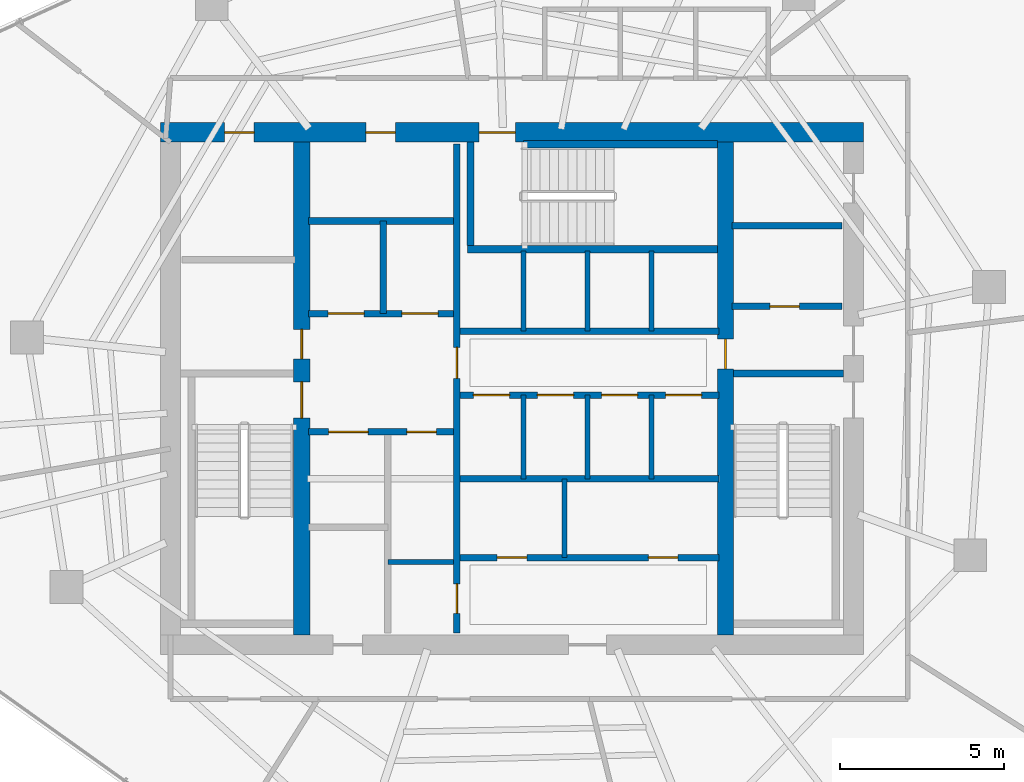
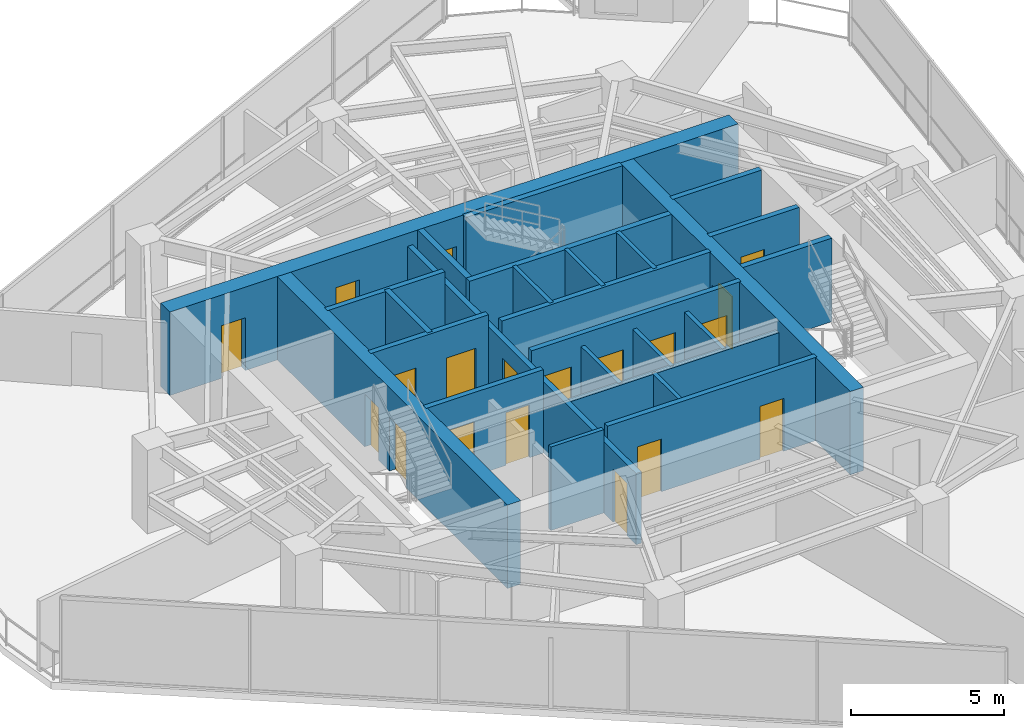
# One storey, part 17 of 21: 26 walls, 19 doors, 19 openings.
"""IFC4 building model written with IfcOpenShell, lengths in metres."""

from ifc_helpers import new_model, si_unit, direction, frame, frame_2d, origin, place, context, subcontext, project, spatial, rectangle, extrude, material, layer, layer_set, type_object, element, fill, save


model = new_model("IFC4")

# Units and contexts
model_context = context("Model", 3, precision=1e-05, world=origin(), true_north=direction((0.0, 1.0)))
body_context = subcontext(model_context, "Body", "Model", "MODEL_VIEW")
ifc_project = project(units=[si_unit("LENGTHUNIT", "METRE"), si_unit("AREAUNIT", "SQUARE_METRE"), si_unit("VOLUMEUNIT", "CUBIC_METRE"), si_unit("PLANEANGLEUNIT", "RADIAN"), si_unit("MASSUNIT", "GRAM", prefix="KILO")], contexts=[model_context])

# Site, building, storey
site_placement = place(None, origin())
site = spatial("IfcSite", under=ifc_project, at=site_placement, CompositionType="ELEMENT")
building_placement = place(site_placement, origin())
building = spatial("IfcBuilding", under=site, at=building_placement, Name="Qarnah Convention Tower", CompositionType="ELEMENT")
storey_placement = place(building_placement, frame((0.0, 0.0, 158.10009765625)))
storey = spatial("IfcBuildingStorey", under=building, at=storey_placement, Name="L42", CompositionType="ELEMENT", Elevation=158.10009765625)

# Wall, openings, doors
ifc_material_1 = material(Name="Concrete C60/75", Category="concrete")
ifc_layer_1 = layer(ifc_material_1, 0.60009765625)
ifc_layer_set_1 = layer_set([ifc_layer_1], Name="Concrete C60/75")
wall_type_1 = type_object("IfcWallType", Name="WL-CORE-600", PredefinedType="SHEAR", material=ifc_layer_set_1)
wall_1_placement = place(storey_placement, frame((26.5, 34.199951171875, 0.0), z_axis=(0.0, 0.0, 1.0), x_axis=(1.0, 0.0, 0.0)))
wall_1 = element("IfcWall", 1, at=wall_1_placement, inside=storey, type_object=wall_type_1, Name="L42 core north shear wall", PredefinedType="SHEAR", context=body_context, shape_type="SweptSolid", body=[
    extrude(rectangle(XDim=21.39990234375, YDim=0.60009765625, at=frame_2d((10.699951171875, 0.0))), origin(), (0.0, 0.0, 1.0), 3.31982421875),
])
opening_1_placement = place(wall_1_placement, frame((9.699951171875, 0.0, 0.0)))
opening_1 = element("IfcOpeningElement", 2, at=opening_1_placement, cuts=wall_1, Name="Opening D-4203", PredefinedType="OPENING", context=body_context, shape_type="SweptSolid", body=[
    extrude(rectangle(XDim=1.10009765625, YDim=2.14990234375, at=frame_2d((0.550048828125, 1.074951171875))), frame((0.0, 0.31005859375, 0.0), z_axis=(0.0, -1.0, 0.0), x_axis=(1.0, 0.0, 0.0)), (0.0, 0.0, 1.0), 0.6201171875),
])
opening_2_placement = place(wall_1_placement, frame((1.949951171875, 0.0, 0.0)))
opening_2 = element("IfcOpeningElement", 3, at=opening_2_placement, cuts=wall_1, Name="Opening D-4209", PredefinedType="OPENING", context=body_context, shape_type="SweptSolid", body=[
    extrude(rectangle(XDim=0.89990234375, YDim=2.10009765625, at=frame_2d((0.449951171875, 1.050048828125))), frame((0.0, 0.31005859375, 0.0), z_axis=(0.0, -1.0, 0.0), x_axis=(1.0, 0.0, 0.0)), (0.0, 0.0, 1.0), 0.6201171875),
])
opening_3_placement = place(wall_1_placement, frame((6.25, 0.0, 0.0)))
opening_3 = element("IfcOpeningElement", 4, at=opening_3_placement, cuts=wall_1, Name="Opening D-4210", PredefinedType="OPENING", context=body_context, shape_type="SweptSolid", body=[
    extrude(rectangle(XDim=0.89990234375, YDim=2.10009765625, at=frame_2d((0.449951171875, 1.050048828125))), frame((0.0, 0.31005859375, 0.0), z_axis=(0.0, -1.0, 0.0), x_axis=(1.0, 0.0, 0.0)), (0.0, 0.0, 1.0), 0.6201171875),
])
ifc_material_2 = material(Name="Structural steel S355JR", Category="steel")
door_type_1 = type_object("IfcDoorType", Name="DT-RISER-900", OperationType="NOTDEFINED", PredefinedType="DOOR", material=ifc_material_2)
door_1_placement = place(opening_2_placement, origin())
door_1 = element("IfcDoor", 5, at=door_1_placement, inside=storey, type_object=door_type_1, Name="Door D-4209", OperationType="SINGLE_SWING_RIGHT", OverallHeight=2.10009765625, OverallWidth=0.89990234375, PredefinedType="DOOR", context=body_context, shape_type="SweptSolid", body=[
    extrude(rectangle(XDim=0.89990234375, YDim=2.10009765625, at=frame_2d((0.449951171875, 1.050048828125))), frame((0.0, 0.02490234375, 0.0), z_axis=(0.0, -1.0, 0.0), x_axis=(1.0, 0.0, 0.0)), (0.0, 0.0, 1.0), 0.050048828125),
])
fill(opening_2, door_1)
door_2_placement = place(opening_3_placement, origin())
door_2 = element("IfcDoor", 6, at=door_2_placement, inside=storey, type_object=door_type_1, Name="Door D-4210", OperationType="SINGLE_SWING_LEFT", OverallHeight=2.10009765625, OverallWidth=0.89990234375, PredefinedType="DOOR", context=body_context, shape_type="SweptSolid", body=[
    extrude(rectangle(XDim=0.89990234375, YDim=2.10009765625, at=frame_2d((0.449951171875, 1.050048828125))), frame((0.0, 0.02490234375, 0.0), z_axis=(0.0, -1.0, 0.0), x_axis=(1.0, 0.0, 0.0)), (0.0, 0.0, 1.0), 0.050048828125),
])
fill(opening_3, door_2)
door_type_2 = type_object("IfcDoorType", Name="DT-STAIR-1100", OperationType="NOTDEFINED", PredefinedType="DOOR", material=ifc_material_2)
door_3_placement = place(opening_1_placement, origin())
door_3 = element("IfcDoor", 7, at=door_3_placement, inside=storey, type_object=door_type_2, Name="Door D-4203", OperationType="SINGLE_SWING_RIGHT", OverallHeight=2.14990234375, OverallWidth=1.10009765625, PredefinedType="DOOR", context=body_context, shape_type="SweptSolid", body=[
    extrude(rectangle(XDim=1.10009765625, YDim=2.14990234375, at=frame_2d((0.550048828125, 1.074951171875))), frame((0.0, 0.02490234375, 0.0), z_axis=(0.0, -1.0, 0.0), x_axis=(1.0, 0.0, 0.0)), (0.0, 0.0, 1.0), 0.050048828125),
])
fill(opening_1, door_3)

ifc_layer_2 = layer(ifc_material_1, 0.5)
ifc_layer_set_2 = layer_set([ifc_layer_2], Name="Concrete C60/75")
wall_type_2 = type_object("IfcWallType", Name="WL-CORE-INT-400", PredefinedType="SHEAR", material=ifc_layer_set_2)
wall_2_placement = place(storey_placement, frame((30.800048828125, 18.89990234375, 0.0), z_axis=(0.0, 0.0, 1.0), x_axis=(0.0, 1.0, 0.0)))
wall_2 = element("IfcWall", 8, at=wall_2_placement, inside=storey, type_object=wall_type_2, Name="L42 core west spine shear wall", PredefinedType="SHEAR", context=body_context, shape_type="SweptSolid", body=[
    extrude(rectangle(XDim=15.0, YDim=0.5, at=frame_2d((7.5, 0.0))), origin(), (0.0, 0.0, 1.0), 3.31982421875),
])
opening_4_placement = place(wall_2_placement, frame((6.60009765625, 0.0, 0.0)))
opening_4 = element("IfcOpeningElement", 9, at=opening_4_placement, cuts=wall_2, Name="Opening D-4201", PredefinedType="OPENING", context=body_context, shape_type="SweptSolid", body=[
    extrude(rectangle(XDim=1.10009765625, YDim=2.14990234375, at=frame_2d((0.550048828125, 1.074951171875))), frame((0.0, 0.260009765625, 0.0), z_axis=(0.0, -1.0, 0.0), x_axis=(1.0, 0.0, 0.0)), (0.0, 0.0, 1.0), 0.52001953125),
])
opening_5_placement = place(wall_2_placement, frame((8.39990234375, 0.0, 0.0)))
opening_5 = element("IfcOpeningElement", 10, at=opening_5_placement, cuts=wall_2, Name="Opening D-4208", PredefinedType="OPENING", context=body_context, shape_type="SweptSolid", body=[
    extrude(rectangle(XDim=0.89990234375, YDim=2.10009765625, at=frame_2d((0.449951171875, 1.050048828125))), frame((0.0, 0.260009765625, 0.0), z_axis=(0.0, -1.0, 0.0), x_axis=(1.0, 0.0, 0.0)), (0.0, 0.0, 1.0), 0.52001953125),
])
door_4_placement = place(opening_5_placement, origin())
door_4 = element("IfcDoor", 11, at=door_4_placement, inside=storey, type_object=door_type_1, Name="Door D-4208", OperationType="SINGLE_SWING_LEFT", OverallHeight=2.10009765625, OverallWidth=0.89990234375, PredefinedType="DOOR", context=body_context, shape_type="SweptSolid", body=[
    extrude(rectangle(XDim=0.89990234375, YDim=2.10009765625, at=frame_2d((0.449951171875, 1.050048828125))), frame((0.0, 0.02490234375, 0.0), z_axis=(0.0, -1.0, 0.0), x_axis=(1.0, 0.0, 0.0)), (0.0, 0.0, 1.0), 0.050048828125),
])
fill(opening_5, door_4)
door_5_placement = place(opening_4_placement, origin())
door_5 = element("IfcDoor", 12, at=door_5_placement, inside=storey, type_object=door_type_2, Name="Door D-4201", OperationType="SINGLE_SWING_RIGHT", OverallHeight=2.14990234375, OverallWidth=1.10009765625, PredefinedType="DOOR", context=body_context, shape_type="SweptSolid", body=[
    extrude(rectangle(XDim=1.10009765625, YDim=2.14990234375, at=frame_2d((0.550048828125, 1.074951171875))), frame((0.0, 0.02490234375, 0.0), z_axis=(0.0, -1.0, 0.0), x_axis=(1.0, 0.0, 0.0)), (0.0, 0.0, 1.0), 0.050048828125),
])
fill(opening_4, door_5)

# Wall, opening, door
wall_3_placement = place(storey_placement, frame((43.699951171875, 18.89990234375, 0.0), z_axis=(0.0, 0.0, 1.0), x_axis=(0.0, 1.0, 0.0)))
wall_3 = element("IfcWall", 13, at=wall_3_placement, inside=storey, type_object=wall_type_2, Name="L42 core east spine shear wall", PredefinedType="SHEAR", context=body_context, shape_type="SweptSolid", body=[
    extrude(rectangle(XDim=15.0, YDim=0.5, at=frame_2d((7.5, 0.0))), origin(), (0.0, 0.0, 1.0), 3.31982421875),
])
opening_6_placement = place(wall_3_placement, frame((8.10009765625, 0.0, 0.0)))
opening_6 = element("IfcOpeningElement", 14, at=opening_6_placement, cuts=wall_3, Name="Opening D-4205", PredefinedType="OPENING", context=body_context, shape_type="SweptSolid", body=[
    extrude(rectangle(XDim=0.89990234375, YDim=2.10009765625, at=frame_2d((0.449951171875, 1.050048828125))), frame((0.0, 0.260009765625, 0.0), z_axis=(0.0, -1.0, 0.0), x_axis=(1.0, 0.0, 0.0)), (0.0, 0.0, 1.0), 0.52001953125),
])
door_6_placement = place(opening_6_placement, origin())
door_6 = element("IfcDoor", 15, at=door_6_placement, inside=storey, type_object=door_type_1, Name="Door D-4205", OperationType="SINGLE_SWING_RIGHT", OverallHeight=2.10009765625, OverallWidth=0.89990234375, PredefinedType="DOOR", context=body_context, shape_type="SweptSolid", body=[
    extrude(rectangle(XDim=0.89990234375, YDim=2.10009765625, at=frame_2d((0.449951171875, 1.050048828125))), frame((0.0, 0.02490234375, 0.0), z_axis=(0.0, -1.0, 0.0), x_axis=(1.0, 0.0, 0.0)), (0.0, 0.0, 1.0), 0.050048828125),
])
fill(opening_6, door_6)

ifc_material_3 = material(Name="Concrete C45/55", Category="concrete")
ifc_layer_3 = layer(ifc_material_3, 0.199951171875)
ifc_layer_set_3 = layer_set([ifc_layer_3], Name="Concrete C45/55")
wall_type_3 = type_object("IfcWallType", Name="WL-CORE-PART-200", PredefinedType="SOLIDWALL", material=ifc_layer_set_3)
wall_4_placement = place(storey_placement, frame((43.89990234375, 28.89990234375, 0.0), z_axis=(0.0, 0.0, 1.0), x_axis=(1.0, 0.0, 0.0)))
wall_4 = element("IfcWall", 16, at=wall_4_placement, inside=storey, type_object=wall_type_3, Name="L42 interior wall IW-L42-EVSTN", PredefinedType="SOLIDWALL", context=body_context, shape_type="SweptSolid", body=[
    extrude(rectangle(XDim=3.35009765625, YDim=0.199951171875, at=frame_2d((1.675048828125, 0.0))), origin(), (0.0, 0.0, 1.0), 3.31982421875),
])
opening_7_placement = place(wall_4_placement, frame((1.14990234375, 0.0, 0.0)))
opening_7 = element("IfcOpeningElement", 17, at=opening_7_placement, cuts=wall_4, Name="Opening D-4211", PredefinedType="OPENING", context=body_context, shape_type="SweptSolid", body=[
    extrude(rectangle(XDim=0.89990234375, YDim=2.10009765625, at=frame_2d((0.449951171875, 1.050048828125))), frame((0.0, 0.10986328125, 0.0), z_axis=(0.0, -1.0, 0.0), x_axis=(1.0, 0.0, 0.0)), (0.0, 0.0, 1.0), 0.219970703125),
])
door_7_placement = place(opening_7_placement, origin())
door_7 = element("IfcDoor", 18, at=door_7_placement, inside=storey, type_object=door_type_1, Name="Door D-4211", OperationType="SINGLE_SWING_RIGHT", OverallHeight=2.10009765625, OverallWidth=0.89990234375, PredefinedType="DOOR", context=body_context, shape_type="SweptSolid", body=[
    extrude(rectangle(XDim=0.89990234375, YDim=2.10009765625, at=frame_2d((0.449951171875, 1.050048828125))), frame((0.0, 0.02490234375, 0.0), z_axis=(0.0, -1.0, 0.0), x_axis=(1.0, 0.0, 0.0)), (0.0, 0.0, 1.0), 0.050048828125),
])
fill(opening_7, door_7)

# Wall
wall_5_placement = place(storey_placement, frame((43.89990234375, 31.35009765625, 0.0), z_axis=(0.0, 0.0, 1.0), x_axis=(1.0, 0.0, 0.0)))
element("IfcWall", 19, at=wall_5_placement, inside=storey, type_object=wall_type_3, Name="L42 interior wall IW-L42-WTRN", PredefinedType="SOLIDWALL", context=body_context, shape_type="SweptSolid", body=[
    extrude(rectangle(XDim=3.35009765625, YDim=0.199951171875, at=frame_2d((1.675048828125, 0.0))), origin(), (0.0, 0.0, 1.0), 3.31982421875),
])

# Wall, openings, doors
wall_6_placement = place(storey_placement, frame((35.52001953125, 18.949951171875, 0.0), z_axis=(0.0, 0.0, 1.0), x_axis=(0.0, 1.0, 0.0)))
wall_6 = element("IfcWall", 20, at=wall_6_placement, inside=storey, type_object=wall_type_3, Name="L42 interior wall IW-L42-CSP", PredefinedType="SOLIDWALL", context=body_context, shape_type="SweptSolid", body=[
    extrude(rectangle(XDim=14.900146484375, YDim=0.199951171875, at=frame_2d((7.4501953125, 0.0))), origin(), (0.0, 0.0, 1.0), 2.8408203125),
])
opening_8_placement = place(wall_6_placement, frame((7.7548828125, 0.0, 0.0)))
opening_8 = element("IfcOpeningElement", 21, at=opening_8_placement, cuts=wall_6, Name="Opening D-4204", PredefinedType="OPENING", context=body_context, shape_type="SweptSolid", body=[
    extrude(rectangle(XDim=0.949951171875, YDim=2.14990234375, at=frame_2d((0.47509765625, 1.074951171875))), frame((0.0, 0.10986328125, 0.0), z_axis=(0.0, -1.0, 0.0), x_axis=(1.0, 0.0, 0.0)), (0.0, 0.0, 1.0), 0.219970703125),
])
opening_9_placement = place(wall_6_placement, frame((0.60009765625, 0.0, 0.0)))
opening_9 = element("IfcOpeningElement", 22, at=opening_9_placement, cuts=wall_6, Name="Opening D-4214", PredefinedType="OPENING", context=body_context, shape_type="SweptSolid", body=[
    extrude(rectangle(XDim=0.89990234375, YDim=2.10009765625, at=frame_2d((0.449951171875, 1.050048828125))), frame((0.0, 0.10986328125, 0.0), z_axis=(0.0, -1.0, 0.0), x_axis=(1.0, 0.0, 0.0)), (0.0, 0.0, 1.0), 0.219970703125),
])
ifc_material_4 = material(Name="Oak timber veneer", Category="wood")
door_type_3 = type_object("IfcDoorType", Name="DT-HOTEL-950", OperationType="NOTDEFINED", PredefinedType="DOOR", material=ifc_material_4)
door_8_placement = place(opening_8_placement, origin())
door_8 = element("IfcDoor", 23, at=door_8_placement, inside=storey, type_object=door_type_3, Name="Door D-4204", OperationType="SINGLE_SWING_LEFT", OverallHeight=2.14990234375, OverallWidth=0.949951171875, PredefinedType="DOOR", context=body_context, shape_type="SweptSolid", body=[
    extrude(rectangle(XDim=0.949951171875, YDim=2.14990234375, at=frame_2d((0.47509765625, 1.074951171875))), frame((0.0, 0.02490234375, 0.0), z_axis=(0.0, -1.0, 0.0), x_axis=(1.0, 0.0, 0.0)), (0.0, 0.0, 1.0), 0.050048828125),
])
fill(opening_8, door_8)
door_9_placement = place(opening_9_placement, origin())
door_9 = element("IfcDoor", 24, at=door_9_placement, inside=storey, type_object=door_type_1, Name="Door D-4214", OperationType="SINGLE_SWING_LEFT", OverallHeight=2.10009765625, OverallWidth=0.89990234375, PredefinedType="DOOR", context=body_context, shape_type="SweptSolid", body=[
    extrude(rectangle(XDim=0.89990234375, YDim=2.10009765625, at=frame_2d((0.449951171875, 1.050048828125))), frame((0.0, 0.02490234375, 0.0), z_axis=(0.0, -1.0, 0.0), x_axis=(1.0, 0.0, 0.0)), (0.0, 0.0, 1.0), 0.050048828125),
])
fill(opening_9, door_9)

wall_7_placement = place(storey_placement, frame((31.0, 28.679931640625, 0.0), z_axis=(0.0, 0.0, 1.0), x_axis=(1.0, 0.0, 0.0)))
wall_7 = element("IfcWall", 25, at=wall_7_placement, inside=storey, type_object=wall_type_3, Name="L42 interior wall IW-L42-FFLS", PredefinedType="SOLIDWALL", context=body_context, shape_type="SweptSolid", body=[
    extrude(rectangle(XDim=4.419921875, YDim=0.199951171875, at=frame_2d((2.2099609375, 0.0))), origin(), (0.0, 0.0, 1.0), 3.31982421875),
])
opening_10_placement = place(wall_7_placement, frame((0.60009765625, 0.0, 0.0)))
opening_10 = element("IfcOpeningElement", 26, at=opening_10_placement, cuts=wall_7, Name="Opening LD-4201", PredefinedType="OPENING", context=body_context, shape_type="SweptSolid", body=[
    extrude(rectangle(XDim=1.10009765625, YDim=2.14990234375, at=frame_2d((0.550048828125, 1.074951171875))), frame((0.0, 0.10986328125, 0.0), z_axis=(0.0, -1.0, 0.0), x_axis=(1.0, 0.0, 0.0)), (0.0, 0.0, 1.0), 0.219970703125),
])
opening_11_placement = place(wall_7_placement, frame((2.85009765625, 0.0, 0.0)))
opening_11 = element("IfcOpeningElement", 27, at=opening_11_placement, cuts=wall_7, Name="Opening LD-4202", PredefinedType="OPENING", context=body_context, shape_type="SweptSolid", body=[
    extrude(rectangle(XDim=1.10009765625, YDim=2.14990234375, at=frame_2d((0.550048828125, 1.074951171875))), frame((0.0, 0.10986328125, 0.0), z_axis=(0.0, -1.0, 0.0), x_axis=(1.0, 0.0, 0.0)), (0.0, 0.0, 1.0), 0.219970703125),
])
door_type_4 = type_object("IfcDoorType", Name="DT-LIFT-1100", OperationType="SLIDING_TO_LEFT", PredefinedType="DOOR", material=ifc_material_2)
door_10_placement = place(opening_10_placement, origin())
door_10 = element("IfcDoor", 28, at=door_10_placement, inside=storey, type_object=door_type_4, Name="Door LD-4201", OperationType="SLIDING_TO_LEFT", OverallHeight=2.14990234375, OverallWidth=1.10009765625, PredefinedType="DOOR", context=body_context, shape_type="SweptSolid", body=[
    extrude(rectangle(XDim=1.10009765625, YDim=2.14990234375, at=frame_2d((0.550048828125, 1.074951171875))), frame((0.0, 0.02490234375, 0.0), z_axis=(0.0, -1.0, 0.0), x_axis=(1.0, 0.0, 0.0)), (0.0, 0.0, 1.0), 0.050048828125),
])
fill(opening_10, door_10)
door_11_placement = place(opening_11_placement, origin())
door_11 = element("IfcDoor", 29, at=door_11_placement, inside=storey, type_object=door_type_4, Name="Door LD-4202", OperationType="SLIDING_TO_LEFT", OverallHeight=2.14990234375, OverallWidth=1.10009765625, PredefinedType="DOOR", context=body_context, shape_type="SweptSolid", body=[
    extrude(rectangle(XDim=1.10009765625, YDim=2.14990234375, at=frame_2d((0.550048828125, 1.074951171875))), frame((0.0, 0.02490234375, 0.0), z_axis=(0.0, -1.0, 0.0), x_axis=(1.0, 0.0, 0.0)), (0.0, 0.0, 1.0), 0.050048828125),
])
fill(opening_11, door_11)

# Walls
wall_8_placement = place(storey_placement, frame((31.0, 31.5, 0.0), z_axis=(0.0, 0.0, 1.0), x_axis=(1.0, 0.0, 0.0)))
element("IfcWall", 30, at=wall_8_placement, inside=storey, type_object=wall_type_3, Name="L42 interior wall IW-L42-FFLN", PredefinedType="SOLIDWALL", context=body_context, shape_type="SweptSolid", body=[
    extrude(rectangle(XDim=4.419921875, YDim=0.199951171875, at=frame_2d((2.2099609375, 0.0))), origin(), (0.0, 0.0, 1.0), 3.31982421875),
])
wall_9_placement = place(storey_placement, frame((33.280029296875, 28.679931640625, 0.0), z_axis=(0.0, 0.0, 1.0), x_axis=(0.0, 1.0, 0.0)))
element("IfcWall", 31, at=wall_9_placement, inside=storey, type_object=wall_type_3, Name="L42 interior wall IW-L42-FFLM", PredefinedType="SOLIDWALL", context=body_context, shape_type="SweptSolid", body=[
    extrude(rectangle(XDim=2.820068359375, YDim=0.199951171875, at=frame_2d((1.41015625, 0.0))), origin(), (0.0, 0.0, 1.0), 3.31982421875),
])

# Wall, openings, doors
wall_10_placement = place(storey_placement, frame((31.0, 25.080078125, 0.0), z_axis=(0.0, 0.0, 1.0), x_axis=(1.0, 0.0, 0.0)))
wall_10 = element("IfcWall", 32, at=wall_10_placement, inside=storey, type_object=wall_type_3, Name="L42 interior wall IW-L42-FFLBS", PredefinedType="SOLIDWALL", context=body_context, shape_type="SweptSolid", body=[
    extrude(rectangle(XDim=4.419921875, YDim=0.199951171875, at=frame_2d((2.2099609375, 0.0))), origin(), (0.0, 0.0, 1.0), 3.31982421875),
])
opening_12_placement = place(wall_10_placement, frame((3.0, 0.0, 0.0)))
opening_12 = element("IfcOpeningElement", 33, at=opening_12_placement, cuts=wall_10, Name="Opening D-4215", PredefinedType="OPENING", context=body_context, shape_type="SweptSolid", body=[
    extrude(rectangle(XDim=0.89990234375, YDim=2.10009765625, at=frame_2d((0.449951171875, 1.050048828125))), frame((0.0, 0.10986328125, 0.0), z_axis=(0.0, -1.0, 0.0), x_axis=(1.0, 0.0, 0.0)), (0.0, 0.0, 1.0), 0.219970703125),
])
opening_13_placement = place(wall_10_placement, frame((0.6201171875, 0.0, 0.0)))
opening_13 = element("IfcOpeningElement", 34, at=opening_13_placement, cuts=wall_10, Name="Opening LD-4203", PredefinedType="OPENING", context=body_context, shape_type="SweptSolid", body=[
    extrude(rectangle(XDim=1.199951171875, YDim=2.14990234375, at=frame_2d((0.60009765625, 1.074951171875))), frame((0.0, 0.10986328125, 0.0), z_axis=(0.0, -1.0, 0.0), x_axis=(1.0, 0.0, 0.0)), (0.0, 0.0, 1.0), 0.219970703125),
])
door_type_5 = type_object("IfcDoorType", Name="DT-LIFT-1200", OperationType="SLIDING_TO_LEFT", PredefinedType="DOOR", material=ifc_material_2)
door_12_placement = place(opening_13_placement, origin())
door_12 = element("IfcDoor", 35, at=door_12_placement, inside=storey, type_object=door_type_5, Name="Door LD-4203", OperationType="SLIDING_TO_LEFT", OverallHeight=2.14990234375, OverallWidth=1.199951171875, PredefinedType="DOOR", context=body_context, shape_type="SweptSolid", body=[
    extrude(rectangle(XDim=1.199951171875, YDim=2.14990234375, at=frame_2d((0.60009765625, 1.074951171875))), frame((0.0, 0.02490234375, 0.0), z_axis=(0.0, -1.0, 0.0), x_axis=(1.0, 0.0, 0.0)), (0.0, 0.0, 1.0), 0.050048828125),
])
fill(opening_13, door_12)
door_13_placement = place(opening_12_placement, origin())
door_13 = element("IfcDoor", 36, at=door_13_placement, inside=storey, type_object=door_type_1, Name="Door D-4215", OperationType="SINGLE_SWING_RIGHT", OverallHeight=2.10009765625, OverallWidth=0.89990234375, PredefinedType="DOOR", context=body_context, shape_type="SweptSolid", body=[
    extrude(rectangle(XDim=0.89990234375, YDim=2.10009765625, at=frame_2d((0.449951171875, 1.050048828125))), frame((0.0, 0.02490234375, 0.0), z_axis=(0.0, -1.0, 0.0), x_axis=(1.0, 0.0, 0.0)), (0.0, 0.0, 1.0), 0.050048828125),
])
fill(opening_12, door_13)

# Wall
wall_11_placement = place(storey_placement, frame((35.6201171875, 28.14990234375, 0.0), z_axis=(0.0, 0.0, 1.0), x_axis=(1.0, 0.0, 0.0)))
element("IfcWall", 37, at=wall_11_placement, inside=storey, type_object=wall_type_3, Name="L42 interior wall IW-L42-PHS", PredefinedType="SOLIDWALL", context=body_context, shape_type="SweptSolid", body=[
    extrude(rectangle(XDim=7.8798828125, YDim=0.199951171875, at=frame_2d((3.93994140625, 0.0))), origin(), (0.0, 0.0, 1.0), 3.31982421875),
])

# Wall, openings, doors
wall_12_placement = place(storey_placement, frame((35.6201171875, 26.199951171875, 0.0), z_axis=(0.0, 0.0, 1.0), x_axis=(1.0, 0.0, 0.0)))
wall_12 = element("IfcWall", 38, at=wall_12_placement, inside=storey, type_object=wall_type_3, Name="L42 interior wall IW-L42-PMN", PredefinedType="SOLIDWALL", context=body_context, shape_type="SweptSolid", body=[
    extrude(rectangle(XDim=7.8798828125, YDim=0.199951171875, at=frame_2d((3.93994140625, 0.0))), origin(), (0.0, 0.0, 1.0), 3.31982421875),
])
opening_14_placement = place(wall_12_placement, frame((0.405029296875, 0.0, 0.0)))
opening_14 = element("IfcOpeningElement", 39, at=opening_14_placement, cuts=wall_12, Name="Opening LD-4204", PredefinedType="OPENING", context=body_context, shape_type="SweptSolid", body=[
    extrude(rectangle(XDim=1.10009765625, YDim=2.14990234375, at=frame_2d((0.550048828125, 1.074951171875))), frame((0.0, 0.10986328125, 0.0), z_axis=(0.0, -1.0, 0.0), x_axis=(1.0, 0.0, 0.0)), (0.0, 0.0, 1.0), 0.219970703125),
])
opening_15_placement = place(wall_12_placement, frame((2.35498046875, 0.0, 0.0)))
opening_15 = element("IfcOpeningElement", 40, at=opening_15_placement, cuts=wall_12, Name="Opening LD-4205", PredefinedType="OPENING", context=body_context, shape_type="SweptSolid", body=[
    extrude(rectangle(XDim=1.10009765625, YDim=2.14990234375, at=frame_2d((0.550048828125, 1.074951171875))), frame((0.0, 0.10986328125, 0.0), z_axis=(0.0, -1.0, 0.0), x_axis=(1.0, 0.0, 0.0)), (0.0, 0.0, 1.0), 0.219970703125),
])
opening_16_placement = place(wall_12_placement, frame((4.304931640625, 0.0, 0.0)))
opening_16 = element("IfcOpeningElement", 41, at=opening_16_placement, cuts=wall_12, Name="Opening LD-4206", PredefinedType="OPENING", context=body_context, shape_type="SweptSolid", body=[
    extrude(rectangle(XDim=1.10009765625, YDim=2.14990234375, at=frame_2d((0.550048828125, 1.074951171875))), frame((0.0, 0.10986328125, 0.0), z_axis=(0.0, -1.0, 0.0), x_axis=(1.0, 0.0, 0.0)), (0.0, 0.0, 1.0), 0.219970703125),
])
opening_17_placement = place(wall_12_placement, frame((6.2548828125, 0.0, 0.0)))
opening_17 = element("IfcOpeningElement", 42, at=opening_17_placement, cuts=wall_12, Name="Opening LD-4207", PredefinedType="OPENING", context=body_context, shape_type="SweptSolid", body=[
    extrude(rectangle(XDim=1.10009765625, YDim=2.14990234375, at=frame_2d((0.550048828125, 1.074951171875))), frame((0.0, 0.10986328125, 0.0), z_axis=(0.0, -1.0, 0.0), x_axis=(1.0, 0.0, 0.0)), (0.0, 0.0, 1.0), 0.219970703125),
])
door_14_placement = place(opening_14_placement, origin())
door_14 = element("IfcDoor", 43, at=door_14_placement, inside=storey, type_object=door_type_4, Name="Door LD-4204", OperationType="SLIDING_TO_LEFT", OverallHeight=2.14990234375, OverallWidth=1.10009765625, PredefinedType="DOOR", context=body_context, shape_type="SweptSolid", body=[
    extrude(rectangle(XDim=1.10009765625, YDim=2.14990234375, at=frame_2d((0.550048828125, 1.074951171875))), frame((0.0, 0.02490234375, 0.0), z_axis=(0.0, -1.0, 0.0), x_axis=(1.0, 0.0, 0.0)), (0.0, 0.0, 1.0), 0.050048828125),
])
fill(opening_14, door_14)
door_15_placement = place(opening_15_placement, origin())
door_15 = element("IfcDoor", 44, at=door_15_placement, inside=storey, type_object=door_type_4, Name="Door LD-4205", OperationType="SLIDING_TO_LEFT", OverallHeight=2.14990234375, OverallWidth=1.10009765625, PredefinedType="DOOR", context=body_context, shape_type="SweptSolid", body=[
    extrude(rectangle(XDim=1.10009765625, YDim=2.14990234375, at=frame_2d((0.550048828125, 1.074951171875))), frame((0.0, 0.02490234375, 0.0), z_axis=(0.0, -1.0, 0.0), x_axis=(1.0, 0.0, 0.0)), (0.0, 0.0, 1.0), 0.050048828125),
])
fill(opening_15, door_15)
door_16_placement = place(opening_16_placement, origin())
door_16 = element("IfcDoor", 45, at=door_16_placement, inside=storey, type_object=door_type_4, Name="Door LD-4206", OperationType="SLIDING_TO_LEFT", OverallHeight=2.14990234375, OverallWidth=1.10009765625, PredefinedType="DOOR", context=body_context, shape_type="SweptSolid", body=[
    extrude(rectangle(XDim=1.10009765625, YDim=2.14990234375, at=frame_2d((0.550048828125, 1.074951171875))), frame((0.0, 0.02490234375, 0.0), z_axis=(0.0, -1.0, 0.0), x_axis=(1.0, 0.0, 0.0)), (0.0, 0.0, 1.0), 0.050048828125),
])
fill(opening_16, door_16)
door_17_placement = place(opening_17_placement, origin())
door_17 = element("IfcDoor", 46, at=door_17_placement, inside=storey, type_object=door_type_4, Name="Door LD-4207", OperationType="SLIDING_TO_LEFT", OverallHeight=2.14990234375, OverallWidth=1.10009765625, PredefinedType="DOOR", context=body_context, shape_type="SweptSolid", body=[
    extrude(rectangle(XDim=1.10009765625, YDim=2.14990234375, at=frame_2d((0.550048828125, 1.074951171875))), frame((0.0, 0.02490234375, 0.0), z_axis=(0.0, -1.0, 0.0), x_axis=(1.0, 0.0, 0.0)), (0.0, 0.0, 1.0), 0.050048828125),
])
fill(opening_17, door_17)

# Wall
wall_13_placement = place(storey_placement, frame((35.6201171875, 23.64990234375, 0.0), z_axis=(0.0, 0.0, 1.0), x_axis=(1.0, 0.0, 0.0)))
element("IfcWall", 47, at=wall_13_placement, inside=storey, type_object=wall_type_3, Name="L42 interior wall IW-L42-PMPL", PredefinedType="SOLIDWALL", context=body_context, shape_type="SweptSolid", body=[
    extrude(rectangle(XDim=7.8798828125, YDim=0.199951171875, at=frame_2d((3.93994140625, 0.0))), origin(), (0.0, 0.0, 1.0), 2.8408203125),
])

# Wall, openings, doors
wall_14_placement = place(storey_placement, frame((35.6201171875, 21.25, 0.0), z_axis=(0.0, 0.0, 1.0), x_axis=(1.0, 0.0, 0.0)))
wall_14 = element("IfcWall", 48, at=wall_14_placement, inside=storey, type_object=wall_type_3, Name="L42 interior wall IW-L42-PLS", PredefinedType="SOLIDWALL", context=body_context, shape_type="SweptSolid", body=[
    extrude(rectangle(XDim=7.8798828125, YDim=0.199951171875, at=frame_2d((3.93994140625, 0.0))), origin(), (0.0, 0.0, 1.0), 3.31982421875),
])
opening_18_placement = place(wall_14_placement, frame((1.1298828125, 0.0, 0.0)))
opening_18 = element("IfcOpeningElement", 49, at=opening_18_placement, cuts=wall_14, Name="Opening D-4216", PredefinedType="OPENING", context=body_context, shape_type="SweptSolid", body=[
    extrude(rectangle(XDim=0.89990234375, YDim=2.10009765625, at=frame_2d((0.449951171875, 1.050048828125))), frame((0.0, 0.10986328125, 0.0), z_axis=(0.0, -1.0, 0.0), x_axis=(1.0, 0.0, 0.0)), (0.0, 0.0, 1.0), 0.219970703125),
])
opening_19_placement = place(wall_14_placement, frame((5.72998046875, 0.0, 0.0)))
opening_19 = element("IfcOpeningElement", 50, at=opening_19_placement, cuts=wall_14, Name="Opening D-4217", PredefinedType="OPENING", context=body_context, shape_type="SweptSolid", body=[
    extrude(rectangle(XDim=0.89990234375, YDim=2.10009765625, at=frame_2d((0.449951171875, 1.050048828125))), frame((0.0, 0.10986328125, 0.0), z_axis=(0.0, -1.0, 0.0), x_axis=(1.0, 0.0, 0.0)), (0.0, 0.0, 1.0), 0.219970703125),
])
door_18_placement = place(opening_18_placement, origin())
door_18 = element("IfcDoor", 51, at=door_18_placement, inside=storey, type_object=door_type_1, Name="Door D-4216", OperationType="SINGLE_SWING_LEFT", OverallHeight=2.10009765625, OverallWidth=0.89990234375, PredefinedType="DOOR", context=body_context, shape_type="SweptSolid", body=[
    extrude(rectangle(XDim=0.89990234375, YDim=2.10009765625, at=frame_2d((0.449951171875, 1.050048828125))), frame((0.0, 0.02490234375, 0.0), z_axis=(0.0, -1.0, 0.0), x_axis=(1.0, 0.0, 0.0)), (0.0, 0.0, 1.0), 0.050048828125),
])
fill(opening_18, door_18)
door_19_placement = place(opening_19_placement, origin())
door_19 = element("IfcDoor", 52, at=door_19_placement, inside=storey, type_object=door_type_1, Name="Door D-4217", OperationType="SINGLE_SWING_RIGHT", OverallHeight=2.10009765625, OverallWidth=0.89990234375, PredefinedType="DOOR", context=body_context, shape_type="SweptSolid", body=[
    extrude(rectangle(XDim=0.89990234375, YDim=2.10009765625, at=frame_2d((0.449951171875, 1.050048828125))), frame((0.0, 0.02490234375, 0.0), z_axis=(0.0, -1.0, 0.0), x_axis=(1.0, 0.0, 0.0)), (0.0, 0.0, 1.0), 0.050048828125),
])
fill(opening_19, door_19)

# Walls
ifc_layer_4 = layer(ifc_material_1, 0.219970703125)
ifc_layer_set_4 = layer_set([ifc_layer_4], Name="Concrete C60/75")
wall_type_4 = type_object("IfcWallType", Name="WL-CORE-STAIR-220", PredefinedType="SHEAR", material=ifc_layer_set_4)
wall_15_placement = place(storey_placement, frame((43.949951171875, 26.860107421875, 0.0), z_axis=(0.0, 0.0, 1.0), x_axis=(1.0, 0.0, 0.0)))
element("IfcWall", 53, at=wall_15_placement, inside=storey, type_object=wall_type_4, Name="L42 stair shaft shear wall SW-L42-ST2N", PredefinedType="SHEAR", context=body_context, shape_type="SweptSolid", body=[
    extrude(rectangle(XDim=3.35009765625, YDim=0.219970703125, at=frame_2d((1.675048828125, 0.0))), origin(), (0.0, 0.0, 1.0), 3.31982421875),
])
wall_16_placement = place(storey_placement, frame((35.840087890625, 30.639892578125, 0.0), z_axis=(0.0, 0.0, 1.0), x_axis=(1.0, 0.0, 0.0)))
element("IfcWall", 54, at=wall_16_placement, inside=storey, type_object=wall_type_4, Name="L42 stair shaft shear wall SW-L42-ST3S", PredefinedType="SHEAR", context=body_context, shape_type="SweptSolid", body=[
    extrude(rectangle(XDim=7.60986328125, YDim=0.219970703125, at=frame_2d((3.804931640625, 0.0))), origin(), (0.0, 0.0, 1.0), 3.31982421875),
])
wall_17_placement = place(storey_placement, frame((35.93994140625, 30.75, 0.0), z_axis=(0.0, 0.0, 1.0), x_axis=(0.0, 1.0, 0.0)))
element("IfcWall", 55, at=wall_17_placement, inside=storey, type_object=wall_type_4, Name="L42 stair shaft shear wall SW-L42-ST3W", PredefinedType="SHEAR", context=body_context, shape_type="SweptSolid", body=[
    extrude(rectangle(XDim=3.14990234375, YDim=0.219970703125, at=frame_2d((1.574951171875, 0.0))), origin(), (0.0, 0.0, 1.0), 3.31982421875),
])
wall_18_placement = place(storey_placement, frame((37.550048828125, 33.840087890625, 0.0), z_axis=(0.0, 0.0, 1.0), x_axis=(1.0, 0.0, 0.0)))
element("IfcWall", 56, at=wall_18_placement, inside=storey, type_object=wall_type_4, Name="L42 stair shaft shear wall SW-L42-ST3N", PredefinedType="SHEAR", context=body_context, shape_type="SweptSolid", body=[
    extrude(rectangle(XDim=5.89990234375, YDim=0.219970703125, at=frame_2d((2.949951171875, 0.0))), origin(), (0.0, 0.0, 1.0), 3.31982421875),
])
ifc_material_5 = material(Name="Gypsum partition board")
ifc_layer_5 = layer(ifc_material_5, 0.14990234375)
ifc_layer_set_5 = layer_set([ifc_layer_5], Name="Gypsum partition board")
wall_type_5 = type_object("IfcWallType", Name="WL-SUITE-150", PredefinedType="PARTITIONING", material=ifc_layer_set_5)
wall_19_placement = place(storey_placement, frame((33.419921875, 21.1201171875, 0.0), z_axis=(0.0, 0.0, 1.0), x_axis=(1.0, 0.0, 0.0)))
element("IfcWall", 57, at=wall_19_placement, inside=storey, type_object=wall_type_5, Name="L42 interior wall IW-L42-CSV1", PredefinedType="PARTITIONING", context=body_context, shape_type="SweptSolid", body=[
    extrude(rectangle(XDim=2.0, YDim=0.14990234375, at=frame_2d((1.0, 0.0))), origin(), (0.0, 0.0, 1.0), 3.31982421875),
])
for number, where, z_axis, x_axis, name in (
    (58, (37.550048828125, 28.14990234375, 0.0), (0.0, 0.0, 1.0), (0.0, 1.0, 0.0), "L42 interior wall IW-L42-PHD1"),
    (59, (39.5, 28.14990234375, 0.0), (0.0, 0.0, 1.0), (0.0, 1.0, 0.0), "L42 interior wall IW-L42-PHD2"),
    (60, (41.449951171875, 28.14990234375, 0.0), (0.0, 0.0, 1.0), (0.0, 1.0, 0.0), "L42 interior wall IW-L42-PHD3"),
):
    element("IfcWall", number, at=place(storey_placement, frame(where, z_axis=z_axis, x_axis=x_axis)), inside=storey, type_object=wall_type_5, Name=name, PredefinedType="PARTITIONING", context=body_context, shape_type="SweptSolid", body=[
        extrude(rectangle(XDim=2.43017578125, YDim=0.14990234375, at=frame_2d((1.215087890625, 0.0))), origin(), (0.0, 0.0, 1.0), 3.31982421875),
    ])
for number, where, z_axis, x_axis, name in (
    (61, (37.550048828125, 23.64990234375, 0.0), (0.0, 0.0, 1.0), (0.0, 1.0, 0.0), "L42 interior wall IW-L42-PMD1"),
    (62, (39.5, 23.64990234375, 0.0), (0.0, 0.0, 1.0), (0.0, 1.0, 0.0), "L42 interior wall IW-L42-PMD2"),
    (63, (41.449951171875, 23.64990234375, 0.0), (0.0, 0.0, 1.0), (0.0, 1.0, 0.0), "L42 interior wall IW-L42-PMD3"),
):
    element("IfcWall", number, at=place(storey_placement, frame(where, z_axis=z_axis, x_axis=x_axis)), inside=storey, type_object=wall_type_5, Name=name, PredefinedType="PARTITIONING", context=body_context, shape_type="SweptSolid", body=[
        extrude(rectangle(XDim=2.550048828125, YDim=0.14990234375, at=frame_2d((1.27490234375, 0.0))), origin(), (0.0, 0.0, 1.0), 2.8408203125),
    ])
wall_20_placement = place(storey_placement, frame((38.800048828125, 21.25, 0.0), z_axis=(0.0, 0.0, 1.0), x_axis=(0.0, 1.0, 0.0)))
element("IfcWall", 64, at=wall_20_placement, inside=storey, type_object=wall_type_5, Name="L42 interior wall IW-L42-PLFD", PredefinedType="PARTITIONING", context=body_context, shape_type="SweptSolid", body=[
    extrude(rectangle(XDim=2.39990234375, YDim=0.14990234375, at=frame_2d((1.199951171875, 0.0))), origin(), (0.0, 0.0, 1.0), 2.8408203125),
])

save(model, "model.ifc")
